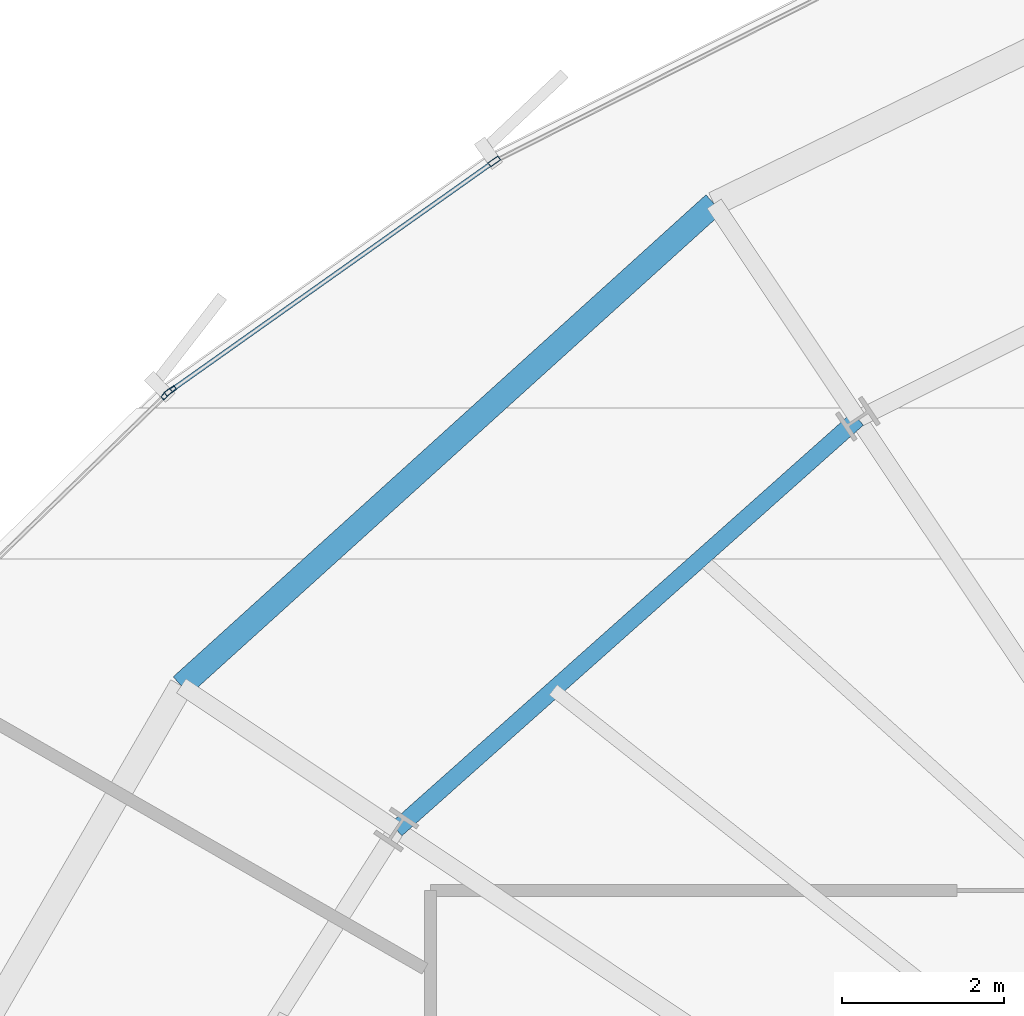
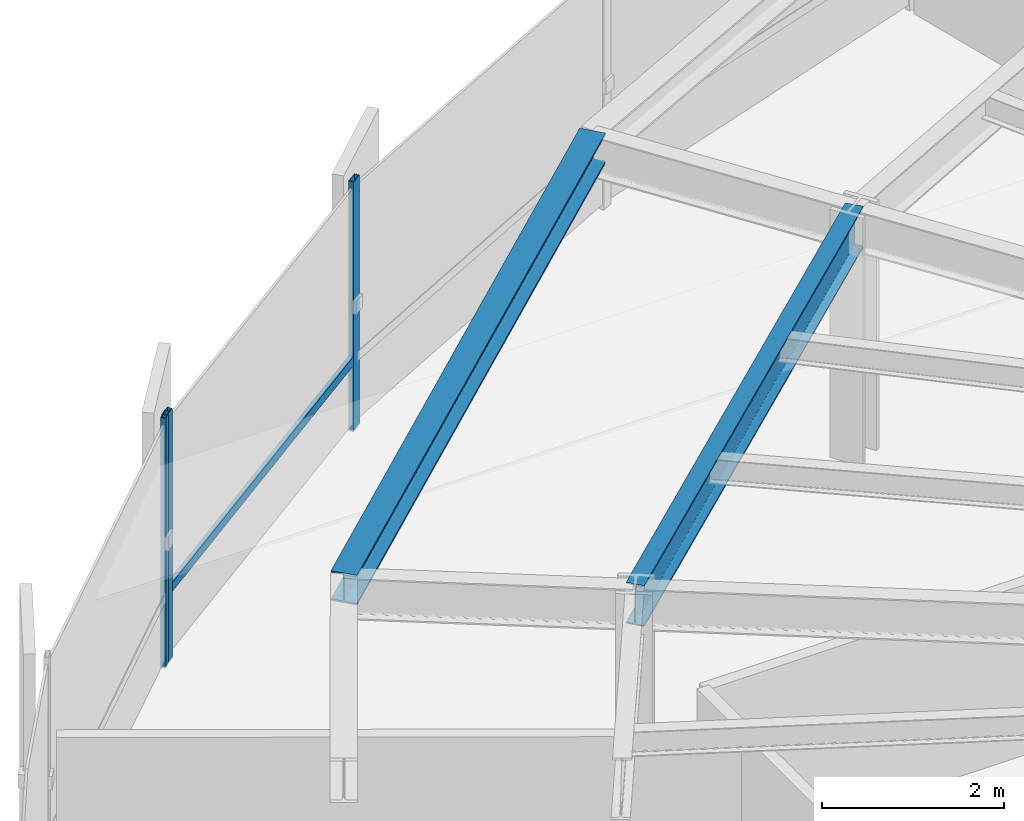
# One storey, part 18 of 35: 4 members, 2 beams, 2 elements without a shape of their own.
"""IFC4 building model written with IfcOpenShell, lengths in metres."""

from ifc_helpers import new_model, si_unit, direction, frame, origin, origin_2d, place, context, subcontext, project, spatial, hollow_rectangle, i_section, extrude, source, transform, mapped, material, layer, layer_set, material_profile, profile_set, type_object, element, aggregate, save


model = new_model("IFC4")

# Units and contexts
model_context = context("Model", 3, precision=1e-05, world=origin(), true_north=direction((0.0, 1.0)))
body_context = subcontext(model_context, "Body", "Model", "MODEL_VIEW")
ifc_project = project(units=[si_unit("LENGTHUNIT", "METRE"), si_unit("AREAUNIT", "SQUARE_METRE"), si_unit("VOLUMEUNIT", "CUBIC_METRE"), si_unit("PLANEANGLEUNIT", "RADIAN"), si_unit("MASSUNIT", "GRAM", prefix="KILO"), si_unit("THERMODYNAMICTEMPERATUREUNIT", "KELVIN")], contexts=[model_context])

# Site, building, storey
site_placement = place(None, origin())
site = spatial("IfcSite", under=ifc_project, at=site_placement, CompositionType="ELEMENT")
building_placement = place(site_placement, origin())
building = spatial("IfcBuilding", under=site, at=building_placement, Name="Kethvar Cultural Tower", CompositionType="ELEMENT")
storey_placement = place(building_placement, frame((0.0, 0.0, 92.800048828125)))
storey = spatial("IfcBuildingStorey", under=building, at=storey_placement, Name="L22", CompositionType="ELEMENT", Elevation=92.800048828125)

# Beams
ifc_material_1 = material(Name="Steel S355J2", Category="steel")
ifc_material_profile_1 = material_profile(ifc_material_1, i_section(OverallWidth=0.2099609375, OverallDepth=0.550048828125, WebThickness=0.010986328125, FlangeThickness=0.01708984375, FilletRadius=0.02392578125, at=origin_2d()), Name="Steel S355J2 — IPE550")
ifc_profile_set_1 = profile_set([ifc_material_profile_1], Name="Steel S355J2 — IPE550")
beam_type_1 = type_object("IfcBeamType", Name="BM-IPE550", PredefinedType="BEAM", material=ifc_profile_set_1)
shared_shape_1 = source(origin(), body_context, "Body", "SweptSolid", [
    extrude(i_section(OverallWidth=0.2099609375, OverallDepth=0.550048828125, WebThickness=0.010986328125, FlangeThickness=0.01708984375, FilletRadius=0.02392578125, at=origin_2d()), origin(), (0.0, 0.0, 1.0), 7.64599609375),
])
beam_1_placement = place(storey_placement, frame((36.0576171875, 43.877197265625, 3.072998046875), z_axis=(-0.747021617367, -0.66479974668, 0.0), x_axis=(0.66479974668, -0.747021617367, 0.0)))
element("IfcBeam", 1, at=beam_1_placement, inside=storey, type_object=beam_type_1, Name="L22 Column Ring Tie Beam CR-06", PredefinedType="BEAM", context=body_context, shape_type="MappedRepresentation", body=[
    mapped(shared_shape_1, transform((0.0, 0.0, 0.0), scale=1.0)),
])
ifc_material_profile_2 = material_profile(ifc_material_1, i_section(OverallWidth=0.300048828125, OverallDepth=0.39990234375, WebThickness=0.013427734375, FlangeThickness=0.02392578125, FilletRadius=0.027099609375, at=origin_2d()), Name="Steel S355J2 — HEB400")
ifc_profile_set_2 = profile_set([ifc_material_profile_2], Name="Steel S355J2 — HEB400")
beam_type_2 = type_object("IfcBeamType", Name="BM-SP400", PredefinedType="SPANDREL", material=ifc_profile_set_2)
shared_shape_2 = source(origin(), body_context, "Body", "SweptSolid", [
    extrude(i_section(OverallWidth=0.300048828125, OverallDepth=0.39990234375, WebThickness=0.013427734375, FlangeThickness=0.02392578125, FilletRadius=0.027099609375, at=origin_2d()), origin(), (0.0, 0.0, 1.0), 8.892822265625),
])
beam_2_placement = place(storey_placement, frame((34.27978515625, 46.5380859375, 3.14794921875), z_axis=(-0.741556591679, -0.670890319901, 0.0), x_axis=(0.670890319901, -0.741556591679, 0.0)))
element("IfcBeam", 2, at=beam_2_placement, inside=storey, type_object=beam_type_2, Name="L22 Perimeter Spandrel Beam SP-06", PredefinedType="SPANDREL", context=body_context, shape_type="MappedRepresentation", body=[
    mapped(shared_shape_2, transform((0.0, 0.0, 0.0), scale=1.0)),
])

# Curtain wall, members
ifc_material_2 = material(Name="Aluminium 6063-T6", Category="aluminium")
ifc_layer = layer(ifc_material_2, 0.179931640625, Name="Aluminium 6063-T6", Category="aluminium")
ifc_layer_set = layer_set([ifc_layer], Name="Aluminium 6063-T6 (180 mm)")
curtain_wall_type = type_object("IfcCurtainWallType", Name="CW-SYS-03-Z2", PredefinedType="NOTDEFINED", material=ifc_layer_set)
curtain_wall_1_placement = place(storey_placement, origin())
curtain_wall_1 = element("IfcCurtainWall", 3, at=curtain_wall_1_placement, inside=storey, type_object=curtain_wall_type, Name="L22 Curtain Wall Run 02", PredefinedType="NOTDEFINED")
ifc_material_profile_3 = material_profile(ifc_material_2, hollow_rectangle(XDim=0.06005859375, YDim=0.14990234375, WallThickness=0.0048828125, at=origin_2d()), Name="Aluminium 6063-T6 — RHS150x60x5")
ifc_profile_set_3 = profile_set([ifc_material_profile_3], Name="Aluminium 6063-T6 — RHS150x60x5")
member_type_1 = type_object("IfcMemberType", Name="CW-SYS-03-Z2-MUL", PredefinedType="MULLION", material=ifc_profile_set_3)
shared_shape_3 = source(origin(), body_context, "Body", "SweptSolid", [
    extrude(hollow_rectangle(XDim=0.06005859375, YDim=0.14990234375, WallThickness=0.0048828125, at=origin_2d()), origin(), (0.0, 0.0, 1.0), 3.349853515625),
])
member_1_placement = place(storey_placement, frame((31.55810546875, 47.061767578125, 0.0), z_axis=(0.0, 0.0, 1.0), x_axis=(0.578142474935, -0.815935829999, 0.0)))
member_1 = element("IfcMember", 4, at=member_1_placement, type_object=member_type_1, Name="CW-L22-R02 Mullion 6", PredefinedType="MULLION", context=body_context, shape_type="MappedRepresentation", body=[
    mapped(shared_shape_3, transform((0.0, 0.0, 0.0), scale=1.0)),
])
member_2_placement = place(storey_placement, frame((27.549560546875, 44.221435546875, 0.0), z_axis=(0.0, 0.0, 1.0), x_axis=(0.578142474935, -0.815935829999, 0.0)))
member_2 = element("IfcMember", 5, at=member_2_placement, type_object=member_type_1, Name="CW-L22-R02 Mullion 7", PredefinedType="MULLION", context=body_context, shape_type="MappedRepresentation", body=[
    mapped(shared_shape_3, transform((0.0, 0.0, 0.0), scale=1.0)),
])

# Curtain wall, member
curtain_wall_2_placement = place(storey_placement, origin())
curtain_wall_2 = element("IfcCurtainWall", 6, at=curtain_wall_2_placement, inside=storey, type_object=curtain_wall_type, Name="L22 Curtain Wall Run 03", PredefinedType="NOTDEFINED")
member_3_placement = place(storey_placement, frame((27.50341796875, 44.18310546875, 0.0), z_axis=(0.0, 0.0, 1.0), x_axis=(0.69786546698, -0.716228867051, 0.0)))
member_3 = element("IfcMember", 7, at=member_3_placement, type_object=member_type_1, Name="CW-L22-R03 Mullion 1", PredefinedType="MULLION", context=body_context, shape_type="MappedRepresentation", body=[
    mapped(shared_shape_3, transform((0.0, 0.0, 0.0), scale=1.0)),
])
aggregate(curtain_wall_2, [member_3])

# Member
ifc_material_profile_4 = material_profile(ifc_material_2, hollow_rectangle(XDim=0.054931640625, YDim=0.1201171875, WallThickness=0.00390625, at=origin_2d()), Name="Aluminium 6063-T6 — RHS120x55x4")
ifc_profile_set_4 = profile_set([ifc_material_profile_4], Name="Aluminium 6063-T6 — RHS120x55x4")
member_type_2 = type_object("IfcMemberType", Name="CW-SYS-03-Z2-TRN", PredefinedType="USERDEFINED", material=ifc_profile_set_4)
shared_shape_4 = source(origin(), body_context, "Body", "SweptSolid", [
    extrude(hollow_rectangle(XDim=0.054931640625, YDim=0.1201171875, WallThickness=0.00390625, at=origin_2d()), origin(), (0.0, 0.0, 1.0), 4.865234375),
])
member_4_placement = place(storey_placement, frame((31.522705078125, 47.036865234375, 0.949951171875), z_axis=(-0.815917959177, -0.578167695304, 0.0), x_axis=(0.578167695304, -0.815917959177, 0.0)))
member_4 = element("IfcMember", 8, at=member_4_placement, type_object=member_type_2, Name="CW-L22-R02 Transom 6", ObjectType="TRANSOM", PredefinedType="USERDEFINED", context=body_context, shape_type="MappedRepresentation", body=[
    mapped(shared_shape_4, transform((0.0, 0.0, 0.0), scale=1.0)),
])

aggregate(curtain_wall_1, [member_1, member_2, member_4])

save(model, "model.ifc")
